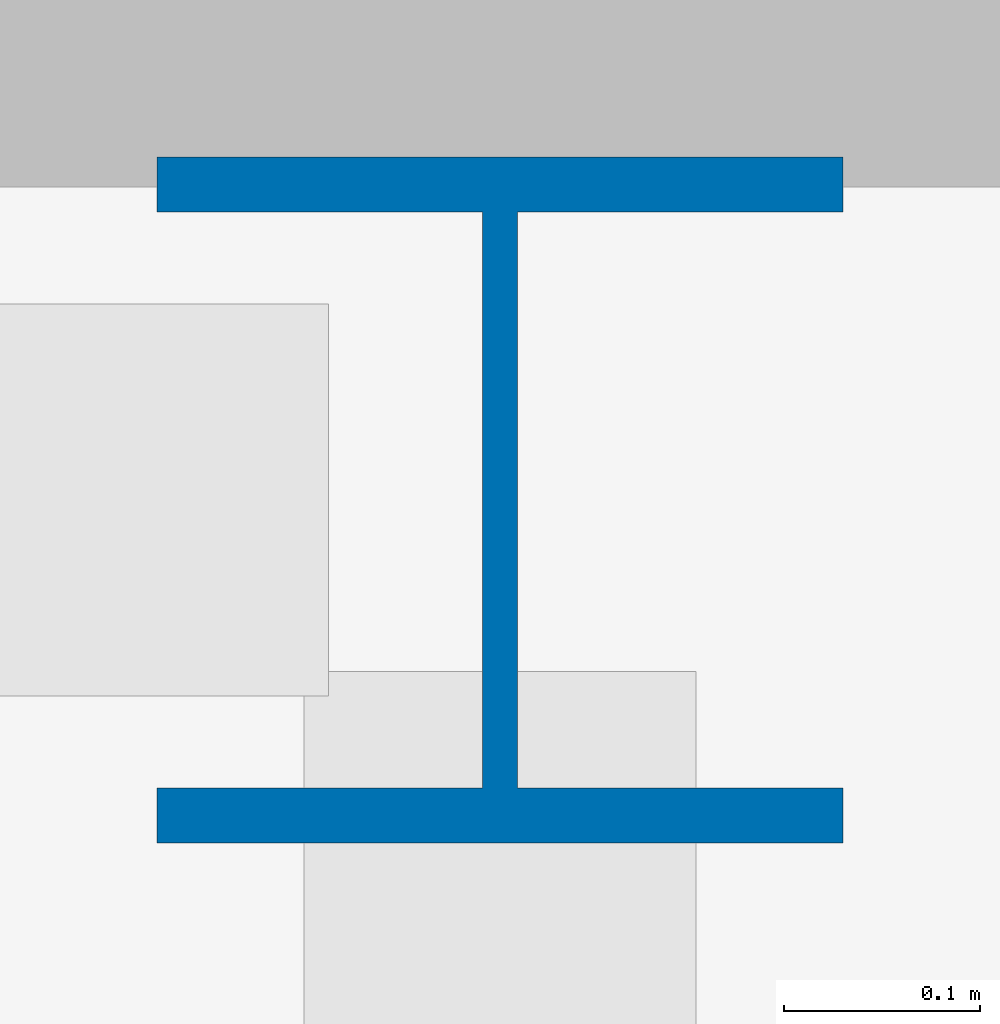
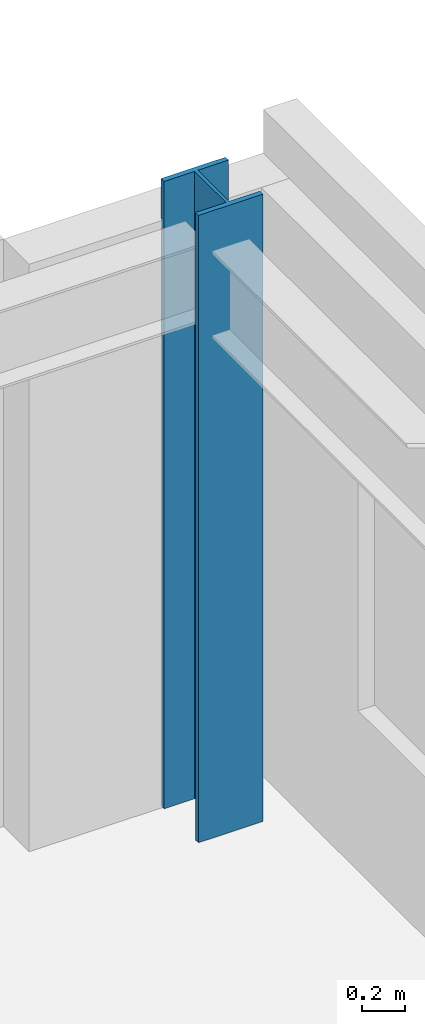
# One storey, part 4 of 22: 1 column.
"""IFC4 building model written with IfcOpenShell, lengths in metres."""

from ifc_helpers import new_model, si_unit, direction, frame, origin, origin_2d, place, context, subcontext, project, spatial, i_section, extrude, source, transform, mapped, material, material_profile, profile_set, type_object, element, save


model = new_model("IFC4")

# Units and contexts
model_context = context("Model", 3, precision=1e-05, world=origin(), true_north=direction((0.0, 1.0)))
body_context = subcontext(model_context, "Body", "Model", "MODEL_VIEW")
ifc_project = project(units=[si_unit("LENGTHUNIT", "METRE"), si_unit("AREAUNIT", "SQUARE_METRE"), si_unit("VOLUMEUNIT", "CUBIC_METRE"), si_unit("PLANEANGLEUNIT", "RADIAN"), si_unit("MASSUNIT", "GRAM", prefix="KILO")], contexts=[model_context])

# Site, building, storey
site_placement = place(None, origin())
site = spatial("IfcSite", under=ifc_project, at=site_placement, CompositionType="ELEMENT")
building_placement = place(site_placement, origin())
building = spatial("IfcBuilding", under=site, at=building_placement, Name="Trelvane Seafront Commons", CompositionType="ELEMENT")
storey_placement = place(building_placement, frame((0.0, 0.0, 284.699951171875)))
storey = spatial("IfcBuildingStorey", under=building, at=storey_placement, Name="L74", CompositionType="ELEMENT", Elevation=284.699951171875)

# Column
ifc_material = material(Name="Steel SM355 (S355)", Category="steel")
ifc_material_profile = material_profile(ifc_material, i_section(OverallWidth=0.35009765625, OverallDepth=0.35009765625, WebThickness=0.01806640625, FlangeThickness=0.028076171875, at=origin_2d()), Name="HD-350x350x18x28")
ifc_profile_set = profile_set([ifc_material_profile], Name="Steel SM355 (S355)")
column_type = type_object("IfcColumnType", Name="STR-COL-HD350", PredefinedType="COLUMN", material=ifc_profile_set)
shared_shape = source(origin(), body_context, "Body", "SweptSolid", [
    extrude(i_section(OverallWidth=0.35009765625, OverallDepth=0.35009765625, WebThickness=0.01806640625, FlangeThickness=0.028076171875, at=origin_2d()), origin(), (0.0, 0.0, 1.0), 3.60009765625),
])
column_placement = place(storey_placement, frame((65.60009765625, 45.10009765625, 0.0), z_axis=(0.0, 0.0, 1.0), x_axis=(1.0, 0.0, 0.0)))
element("IfcColumn", 1, at=column_placement, inside=storey, type_object=column_type, Name="L74 Column TC-CN65.6", PredefinedType="COLUMN", context=body_context, shape_type="MappedRepresentation", body=[
    mapped(shared_shape, transform((0.0, 0.0, 0.0), x_axis=(1.0, 0.0, 0.0), y_axis=(0.0, 1.0, 0.0), z_axis=(0.0, 0.0, 1.0), scale=1.0)),
])

save(model, "model.ifc")
